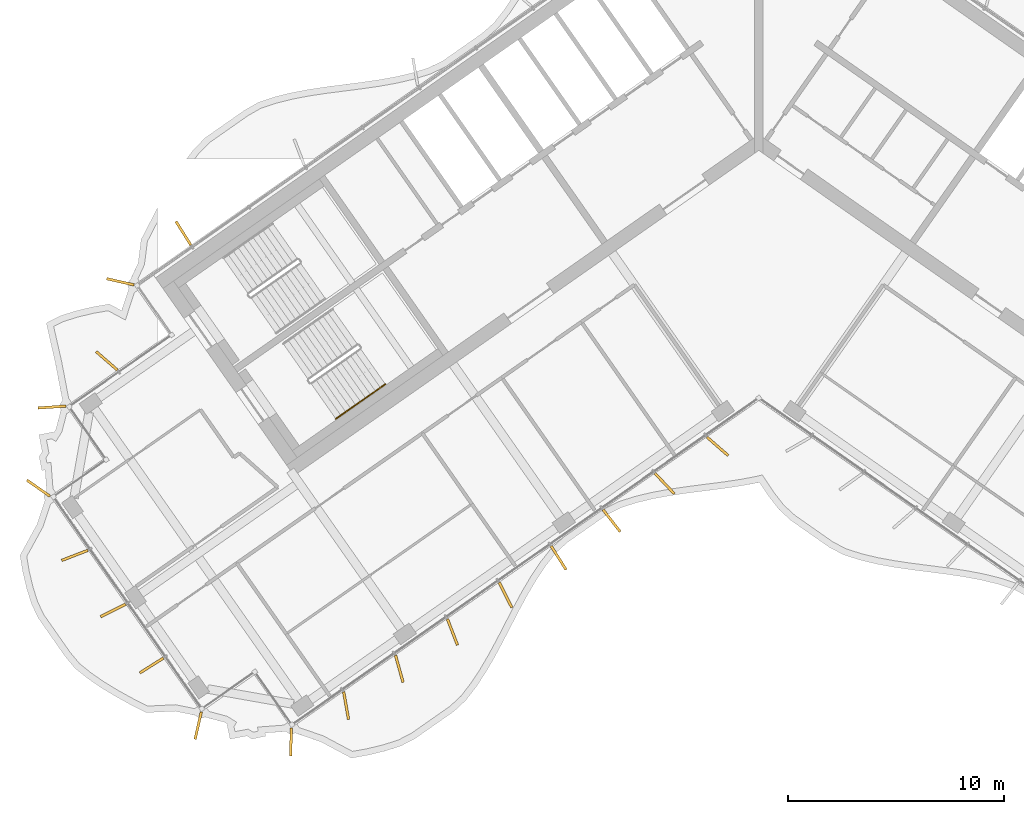
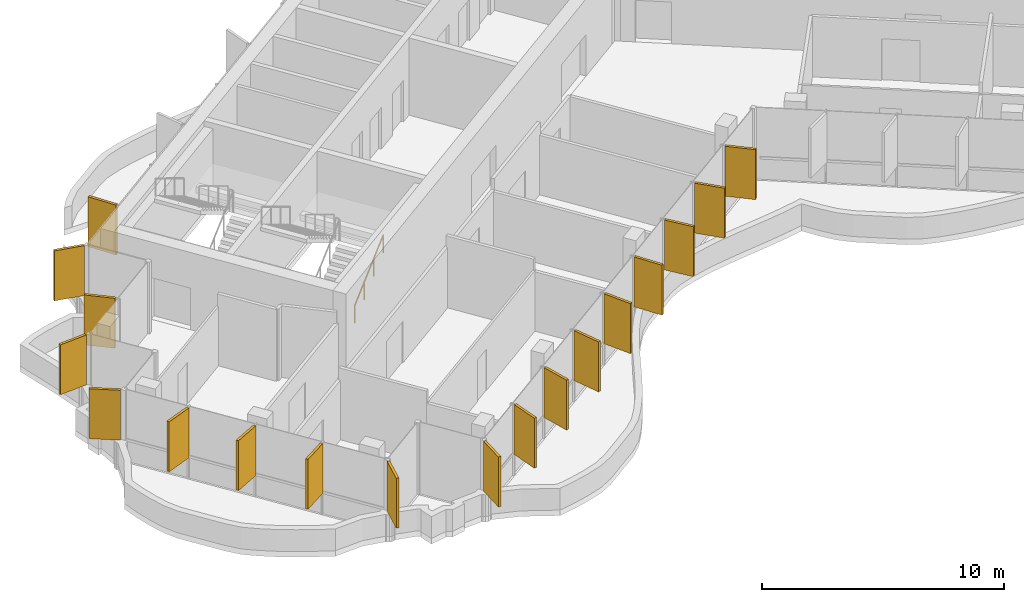
# One storey, part 16 of 20: 18 shading devices, 1 railing.
"""IFC4 building model written with IfcOpenShell, lengths in metres."""

from ifc_helpers import new_model, si_unit, direction, frame, origin, origin_2d, place, context, subcontext, project, spatial, rectangle, circle, extrude, material, layer, layer_set, type_object, element, save


model = new_model("IFC4")

# Units and contexts
model_context = context("Model", 3, precision=1e-05, world=origin(), true_north=direction((0.0, 1.0)))
body_context = subcontext(model_context, "Body", "Model", "MODEL_VIEW")
ifc_project = project(units=[si_unit("LENGTHUNIT", "METRE"), si_unit("AREAUNIT", "SQUARE_METRE"), si_unit("VOLUMEUNIT", "CUBIC_METRE"), si_unit("PLANEANGLEUNIT", "RADIAN"), si_unit("MASSUNIT", "GRAM", prefix="KILO")], contexts=[model_context])

# Site, building, storey
site_placement = place(None, origin())
site = spatial("IfcSite", under=ifc_project, at=site_placement, CompositionType="ELEMENT")
building_placement = place(site_placement, origin())
building = spatial("IfcBuilding", under=site, at=building_placement, Name="Tel Ilan Convention Tower", CompositionType="ELEMENT")
storey_placement = place(building_placement, frame((0.0, 0.0, 229.300048828125)))
storey = spatial("IfcBuildingStorey", under=building, at=storey_placement, Name="L53", CompositionType="ELEMENT", Elevation=229.300048828125)

# Shading devices
ifc_material_1 = material(Name="Aluminium, bronze anodised", Category="aluminium")
ifc_layer = layer(ifc_material_1, 0.1201171875)
ifc_layer_set = layer_set([ifc_layer], Name="FIN BRONZE 1300x120")
shading_device_type = type_object("IfcShadingDeviceType", Name="FIN BRONZE 1300x120", PredefinedType="USERDEFINED", material=ifc_layer_set)
for number, where, z_axis, x_axis, name in (
    (1, (-26.674072265625, -5.063720703125, 1.099853515625), (0.0, 0.0, 1.0), (-0.533204432798, 0.845986425922, 0.0), "FIN"),
    (2, (-29.594970703125, -7.31494140625, 1.099853515625), (0.0, 0.0, 1.0), (-0.975235208752, 0.221170268371, 0.0), "FIN"),
    (3, (-30.22607421875, -10.977294921875, 1.099853515625), (0.0, 0.0, 1.0), (-0.753435896329, 0.657521368568, 0.0), "FIN"),
    (4, (-32.76611328125, -13.12109375, 1.099853515625), (0.0, 0.0, 1.0), (-0.997697449973, -0.067821812994, 0.0), "FIN"),
    (5, (-33.3974609375, -16.88037109375, 1.099853515625), (0.0, 0.0, 1.0), (-0.819152044289, 0.573576436351, 0.0), "FIN"),
    (6, (-31.708984375, -19.998046875, 1.099853515625), (0.0, 0.0, 1.0), (-0.932883704733, -0.360177724803, 0.0), "FIN"),
    (7, (-29.929443359375, -22.55078125, 1.099853515625), (0.0, 0.0, 1.0), (-0.893632640321, -0.448799180206, 0.0), "FIN"),
    (8, (-28.144287109375, -25.100830078125, 1.099853515625), (0.0, 0.0, 1.0), (-0.845986425922, -0.533204432798, 0.0), "FIN"),
    (9, (-25.987060546875, -27.887451171875, 1.099853515625), (0.0, 0.0, 1.0), (-0.221170268371, -0.975235208752, 0.0), "FIN"),
    (10, (-21.68505859375, -28.645751953125, 1.099853515625), (0.0, 0.0, 1.0), (-0.029084718749, -0.999576950082, 0.0), "FIN"),
    (11, (-19.13037109375, -26.962890625, 1.099853515625), (0.0, 0.0, 1.0), (0.173648177667, -0.984807753012, 0.0), "FIN"),
    (12, (-16.664794921875, -25.259033203125, 1.099853515625), (0.0, 0.0, 1.0), (0.268172612768, -0.963370878614, 0.0), "FIN"),
    (13, (-14.201171875, -23.549072265625, 1.099853515625), (0.0, 0.0, 1.0), (0.360177724803, -0.932883704733, 0.0), "FIN"),
    (14, (-11.739501953125, -21.83349609375, 1.099853515625), (0.0, 0.0, 1.0), (0.448799180206, -0.893632640321, 0.0), "FIN"),
    (15, (-9.28076171875, -20.112060546875, 1.099853515625), (0.0, 0.0, 1.0), (0.533204432798, -0.845986425922, 0.0), "FIN"),
    (16, (-6.822021484375, -18.390380859375, 1.099853515625), (0.0, 0.0, 1.0), (0.612600545196, -0.790392669516, 0.0), "FIN"),
    (17, (-4.363525390625, -16.668701171875, 1.099853515625), (0.0, 0.0, 1.0), (0.686241637865, -0.727373641577, 0.0), "FIN"),
    (18, (-1.909423828125, -14.9423828125, 1.099853515625), (0.0, 0.0, 1.0), (0.753435896329, -0.657521368568, 0.0), "FIN"),
):
    element("IfcShadingDevice", number, at=place(storey_placement, frame(where, z_axis=z_axis, x_axis=x_axis)), inside=storey, type_object=shading_device_type, Name=name, ObjectType="FIN", PredefinedType="USERDEFINED", context=body_context, shape_type="SweptSolid", body=[
        extrude(rectangle(XDim=1.300048828125, YDim=0.1201171875, at=origin_2d()), origin(), (0.0, 0.0, 1.0), 2.52001953125),
    ])

# Railing
ifc_material_2 = material(Name="Stainless Steel Grade 316", Category="steel")
railing_type = type_object("IfcRailingType", Name="Stainless Steel Stair Handrail 900 mm", PredefinedType="HANDRAIL", material=ifc_material_2)
railing_placement = place(storey_placement, frame((-19.6064453125, -13.66748046875, 0.17724609375)))
element("IfcRailing", 19, at=railing_placement, inside=storey, type_object=railing_type, Name="L53 S2 stair handrail 1", PredefinedType="HANDRAIL", context=body_context, shape_type="SweptSolid", body=[
    extrude(circle(Radius=0.02392578125, at=origin_2d()), frame((0.0, 0.0, 0.8759765625), z_axis=(0.692123088272, 0.484596665743, 0.534912798717), x_axis=(-0.573550118428, 0.819170471667, 0.0)), (0.0, 0.0, 1.0), 3.31396484375),
    extrude(circle(Radius=0.02099609375, at=origin_2d()), origin(), (0.0, 0.0, 1.0), 0.851806640625),
    extrude(circle(Radius=0.02099609375, at=origin_2d()), frame((0.7646484375, 0.535400390625, 0.5908203125)), (0.0, 0.0, 1.0), 0.851806640625),
    extrude(circle(Radius=0.02099609375, at=origin_2d()), frame((1.529052734375, 1.070556640625, 1.181884765625)), (0.0, 0.0, 1.0), 0.851806640625),
    extrude(circle(Radius=0.02099609375, at=origin_2d()), frame((2.293701171875, 1.60595703125, 1.772705078125)), (0.0, 0.0, 1.0), 0.851806640625),
])

save(model, "model.ifc")
